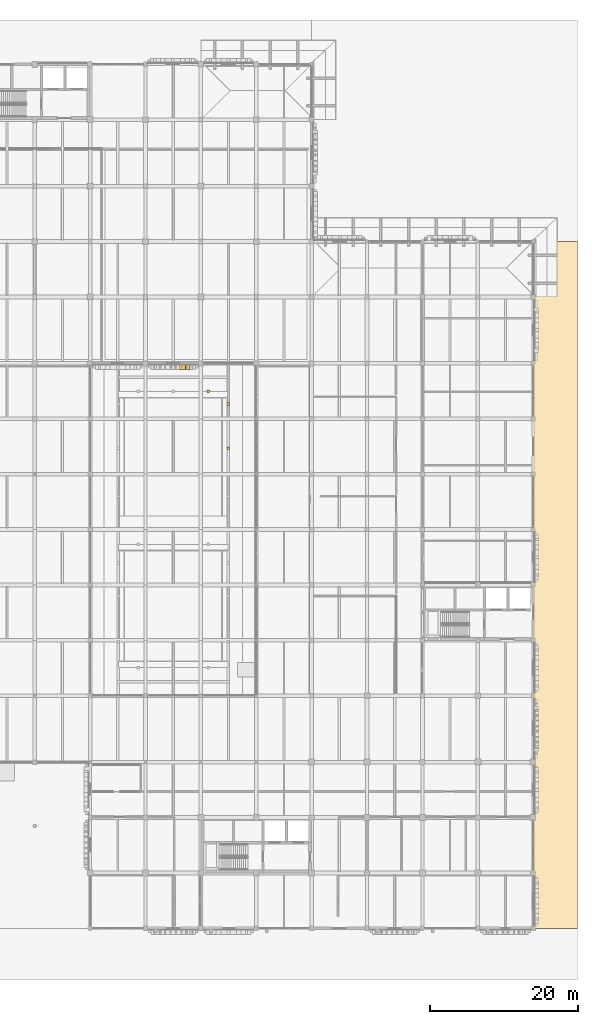
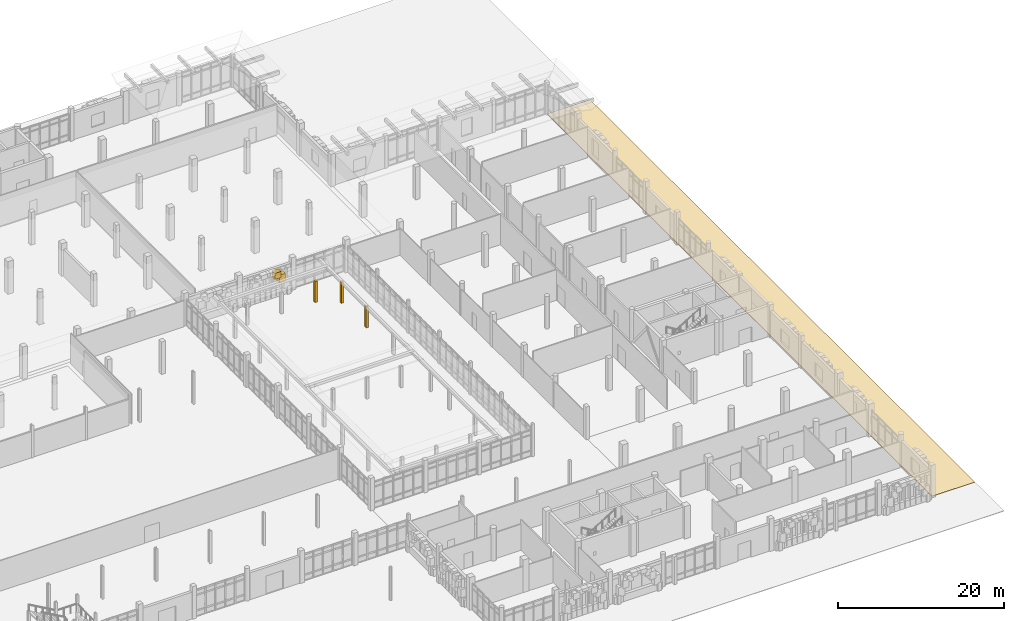
# One storey, part 122 of 125: 6 coverings.
"""IFC4 building model written with IfcOpenShell, lengths in metres."""

from ifc_helpers import new_model, si_unit, direction, frame, origin, origin_2d, place, context, subcontext, project, spatial, polyline, rectangle, outline, extrude, material, layer, layer_set, type_object, element, save


model = new_model("IFC4")

# Units and contexts
model_context = context("Model", 3, precision=1e-05, world=origin(), true_north=direction((0.0, 1.0)))
body_context = subcontext(model_context, "Body", "Model", "MODEL_VIEW")
ifc_project = project(units=[si_unit("LENGTHUNIT", "METRE"), si_unit("AREAUNIT", "SQUARE_METRE"), si_unit("VOLUMEUNIT", "CUBIC_METRE"), si_unit("PLANEANGLEUNIT", "RADIAN"), si_unit("MASSUNIT", "GRAM", prefix="KILO")], contexts=[model_context])

# Site, building, storey
site_placement = place(None, origin())
site = spatial("IfcSite", under=ifc_project, at=site_placement, CompositionType="ELEMENT")
building_placement = place(site_placement, origin())
building = spatial("IfcBuilding", under=site, at=building_placement, Name="Dalvernix Boulevard General Hospital", CompositionType="ELEMENT")
storey_placement = place(building_placement, origin())
storey = spatial("IfcBuildingStorey", under=building, at=storey_placement, Name="L00", CompositionType="ELEMENT", Elevation=0.0)

# Coverings
ifc_material_1 = material(Name="Pressed Catalan clay brick and dressed limestone parabolic archivolt", Category="masonry")
ifc_layer_1 = layer(ifc_material_1, 0.419921875)
ifc_layer_set_1 = layer_set([ifc_layer_1], Name="Pressed Catalan clay brick and dressed limestone parabolic archivolt (COV-ARC-01)")
covering_type_1 = type_object("IfcCoveringType", Name="COV-ARC-01", PredefinedType="CLADDING", material=ifc_layer_set_1)
covering_1_placement = place(storey_placement, frame((125.629150390625, 76.014892578125, 2.07958984375), z_axis=(0.0, 0.0, 1.0), x_axis=(-1.0, 0.0, 0.0)))
element("IfcCovering", 1, at=covering_1_placement, inside=storey, type_object=covering_type_1, Name="L00 Catalan parabolic archivolt voussoir S 16-10-2", PredefinedType="CLADDING", context=body_context, shape_type="SweptSolid", body=[
    extrude(rectangle(XDim=0.8623046875, YDim=0.659912109375, at=origin_2d()), origin(), (0.0, 0.0, 1.0), 1.144287109375),
])
covering_2_placement = place(storey_placement, frame((125.0068359375, 76.014892578125, 2.84375), z_axis=(0.0, 0.0, 1.0), x_axis=(-1.0, 0.0, 0.0)))
element("IfcCovering", 2, at=covering_2_placement, inside=storey, type_object=covering_type_1, Name="L00 Catalan parabolic archivolt voussoir S 16-10-3", PredefinedType="CLADDING", context=body_context, shape_type="SweptSolid", body=[
    extrude(rectangle(XDim=0.8623046875, YDim=0.659912109375, at=origin_2d()), origin(), (0.0, 0.0, 1.0), 0.8896484375),
])
ifc_material_2 = material(Name="Permeable granite and clay boulevard paving", Category="masonry")
ifc_layer_2 = layer(ifc_material_2, 0.080078125)
ifc_layer_set_2 = layer_set([ifc_layer_2], Name="Permeable granite and clay boulevard paving (COV-PAV-01)")
covering_type_2 = type_object("IfcCoveringType", Name="COV-PAV-01", PredefinedType="USERDEFINED", material=ifc_layer_set_2)
covering_3_placement = place(storey_placement, frame((0.0, 0.0, -0.080078125)))
element("IfcCovering", 3, at=covering_3_placement, inside=storey, type_object=covering_type_2, Name="Exterior grade paving EAST-AVE", ObjectType="PAVING", PredefinedType="USERDEFINED", context=body_context, shape_type="SweptSolid", body=[
    extrude(outline(polyline([(172.5, 0.0), (178.5, 0.0), (178.5, 93.0), (172.5, 93.0), (172.5, 0.0)])), origin(), (0.0, 0.0, 1.0), 0.080078125),
])
ifc_material_3 = material(Name="Preservative-treated glulam GL28h cloister walkway post, beam and roof", Category="wood")
ifc_layer_3 = layer(ifc_material_3, 0.340087890625)
ifc_layer_set_3 = layer_set([ifc_layer_3], Name="Preservative-treated glulam GL28h cloister walkway post, beam and roof (COV-WKP-01)")
covering_type_3 = type_object("IfcCoveringType", Name="COV-WKP-01", PredefinedType="CLADDING", material=ifc_layer_set_3)
for number, where, z_axis, x_axis, name in (
    (4, (131.199951171875, 65.0, 0.0), (0.0, 0.0, 1.0), (1.0, 0.0, 0.0), "ECOURT covered timber walkway post E-5"),
    (5, (131.199951171875, 71.0, 0.0), (0.0, 0.0, 1.0), (1.0, 0.0, 0.0), "ECOURT covered timber walkway post E-6"),
    (6, (128.5, 72.699951171875, 0.0), (0.0, 0.0, 1.0), (1.0, 0.0, 0.0), "ECOURT covered timber walkway post N-3"),
):
    element("IfcCovering", number, at=place(storey_placement, frame(where, z_axis=z_axis, x_axis=x_axis)), inside=storey, type_object=covering_type_3, Name=name, PredefinedType="CLADDING", context=body_context, shape_type="SweptSolid", body=[
        extrude(rectangle(XDim=0.340087890625, YDim=0.340087890625, at=origin_2d()), origin(), (0.0, 0.0, 1.0), 3.10009765625),
    ])

save(model, "model.ifc")
